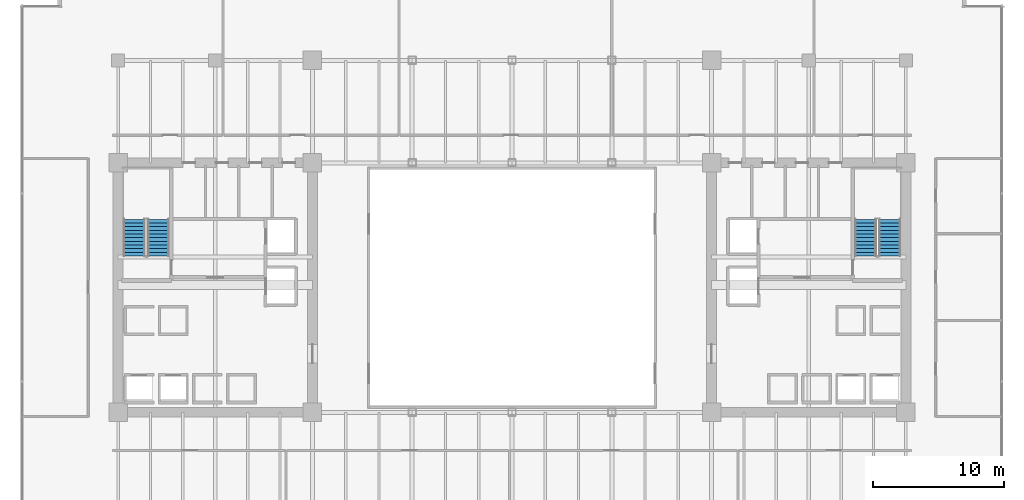
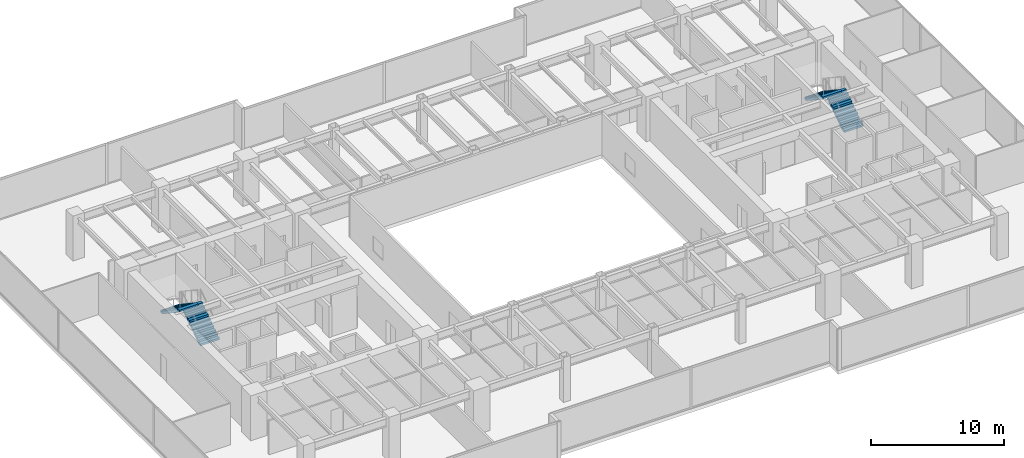
# One storey, part 33 of 35: 4 stair flights, 2 elements without a shape of their own.
"""IFC4 building model written with IfcOpenShell, lengths in metres."""

from ifc_helpers import new_model, si_unit, direction, frame, origin, place, context, subcontext, project, spatial, polyline, outline, extrude, source, transform, mapped, material, type_object, type_shapes, element, aggregate, save


model = new_model("IFC4")

# Units and contexts
model_context = context("Model", 3, precision=1e-05, world=origin(), true_north=direction((0.0, 1.0)))
body_context = subcontext(model_context, "Body", "Model", "MODEL_VIEW")
ifc_project = project(units=[si_unit("LENGTHUNIT", "METRE"), si_unit("AREAUNIT", "SQUARE_METRE"), si_unit("VOLUMEUNIT", "CUBIC_METRE"), si_unit("PLANEANGLEUNIT", "RADIAN"), si_unit("MASSUNIT", "GRAM", prefix="KILO")], contexts=[model_context])

# Site, building, storey
site_placement = place(None, origin())
site = spatial("IfcSite", under=ifc_project, at=site_placement, CompositionType="ELEMENT")
building_placement = place(site_placement, origin())
building = spatial("IfcBuilding", under=site, at=building_placement, Name="Haelvirn Gate Laboratories", CompositionType="ELEMENT")
storey_placement = place(building_placement, frame((0.0, 0.0, 66.199951171875)))
storey = spatial("IfcBuildingStorey", under=building, at=storey_placement, Name="L16", CompositionType="ELEMENT", Elevation=66.199951171875)

# Stair, stair flights
ifc_material = material(Name="Concrete C40/50", Category="concrete")
stair_type = type_object("IfcStairType", Name="ST-DOG-1650-R22", PredefinedType="HALF_TURN_STAIR", material=ifc_material)
stair_1_placement = place(storey_placement, origin())
stair_1 = element("IfcStair", 1, at=stair_1_placement, inside=storey, type_object=stair_type, Name="L16 Escape Stair ST1", PredefinedType="HALF_TURN_STAIR")
stair_flight_type = type_object("IfcStairFlightType", Name="STF-1650-R11", PredefinedType="STRAIGHT", material=ifc_material)
shared_shape = source(origin(), body_context, "Body", "SweptSolid", [
    extrude(outline(polyline([(0.0, 0.0), (0.0, 0.186279296875), (0.280029296875, 0.186279296875), (0.280029296875, 0.372802734375), (0.56005859375, 0.372802734375), (0.56005859375, 0.55908203125), (0.840087890625, 0.55908203125), (0.840087890625, 0.745361328125), (1.1201171875, 0.745361328125), (1.1201171875, 0.931884765625), (1.39990234375, 0.931884765625), (1.39990234375, 1.1181640625), (1.679931640625, 1.1181640625), (1.679931640625, 1.304443359375), (1.9599609375, 1.304443359375), (1.9599609375, 1.490966796875), (2.239990234375, 1.490966796875), (2.239990234375, 1.67724609375), (2.52001953125, 1.67724609375), (2.52001953125, 1.863525390625), (2.800048828125, 1.863525390625), (2.800048828125, 2.050048828125), (2.800048828125, 1.671630859375), (0.28857421875, 0.0), (0.0, 0.0)])), frame((0.0, 0.824951171875, 0.0), z_axis=(0.0, -1.0, 0.0), x_axis=(1.0, 0.0, 0.0)), (0.0, 0.0, 1.0), 1.64990234375),
])
type_shapes(stair_flight_type, [shared_shape])
stair_flight_1_placement = place(storey_placement, frame((10.47509765625, 26.699951171875, 0.0), z_axis=(0.0, 0.0, 1.0), x_axis=(0.0, 1.0, 0.0)))
stair_flight_1 = element("IfcStairFlight", 2, at=stair_flight_1_placement, type_object=stair_flight_type, Name="ST1 flight 1", NumberOfRisers=11, NumberOfTreads=10, PredefinedType="STRAIGHT", RiserHeight=0.186363636, TreadLength=0.28, context=body_context, shape_type="MappedRepresentation", body=[
    mapped(shared_shape, transform((0.0, 0.0, 0.0), scale=1.0)),
])
stair_flight_2_placement = place(storey_placement, frame((8.625, 29.5, 2.050048828125), z_axis=(0.0, 0.0, 1.0), x_axis=(0.0, -1.0, 0.0)))
stair_flight_2 = element("IfcStairFlight", 3, at=stair_flight_2_placement, type_object=stair_flight_type, Name="ST1 flight 2", NumberOfRisers=11, NumberOfTreads=10, PredefinedType="STRAIGHT", RiserHeight=0.186363636, TreadLength=0.28, context=body_context, shape_type="MappedRepresentation", body=[
    mapped(shared_shape, transform((0.0, 0.0, 0.0), scale=1.0)),
])
aggregate(stair_1, [stair_flight_1, stair_flight_2])

stair_2_placement = place(storey_placement, origin())
stair_2 = element("IfcStair", 4, at=stair_2_placement, inside=storey, type_object=stair_type, Name="L16 Escape Stair ST2", PredefinedType="HALF_TURN_STAIR")
stair_flight_3_placement = place(storey_placement, frame((66.175048828125, 26.699951171875, 0.0), z_axis=(0.0, 0.0, 1.0), x_axis=(0.0, 1.0, 0.0)))
stair_flight_3 = element("IfcStairFlight", 5, at=stair_flight_3_placement, type_object=stair_flight_type, Name="ST2 flight 1", NumberOfRisers=11, NumberOfTreads=10, PredefinedType="STRAIGHT", RiserHeight=0.186363636, TreadLength=0.28, context=body_context, shape_type="MappedRepresentation", body=[
    mapped(shared_shape, transform((0.0, 0.0, 0.0), scale=1.0)),
])
stair_flight_4_placement = place(storey_placement, frame((64.324951171875, 29.5, 2.050048828125), z_axis=(0.0, 0.0, 1.0), x_axis=(0.0, -1.0, 0.0)))
stair_flight_4 = element("IfcStairFlight", 6, at=stair_flight_4_placement, type_object=stair_flight_type, Name="ST2 flight 2", NumberOfRisers=11, NumberOfTreads=10, PredefinedType="STRAIGHT", RiserHeight=0.186363636, TreadLength=0.28, context=body_context, shape_type="MappedRepresentation", body=[
    mapped(shared_shape, transform((0.0, 0.0, 0.0), scale=1.0)),
])
aggregate(stair_2, [stair_flight_3, stair_flight_4])

save(model, "model.ifc")
